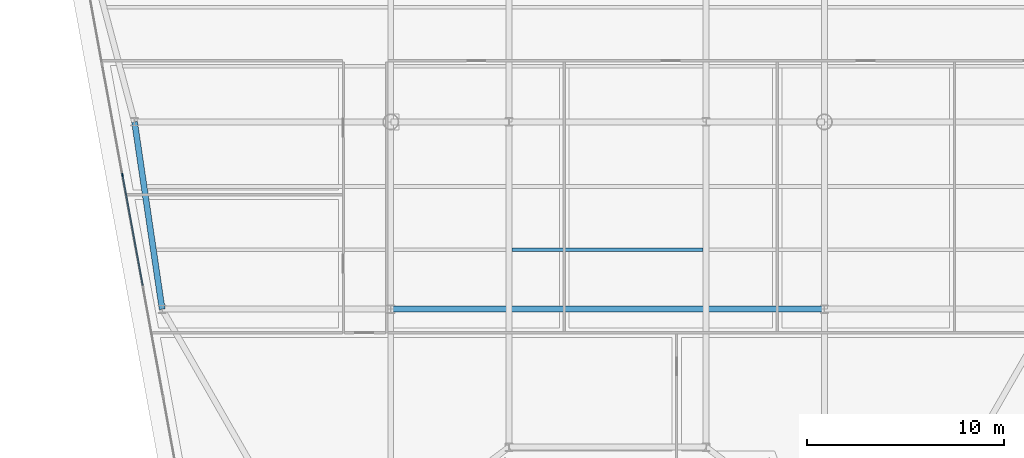
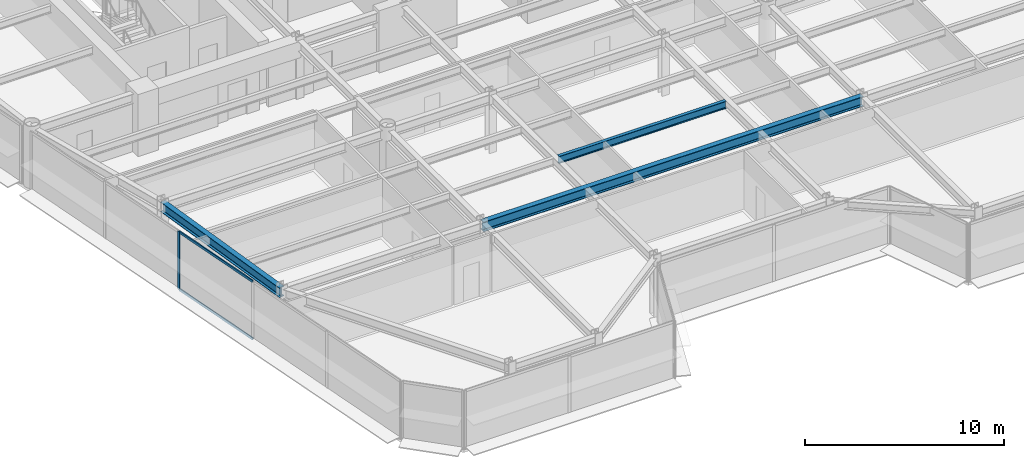
# One storey, part 3 of 16: 3 beams, 3 members, 1 element without a shape of its own.
"""IFC4 building model written with IfcOpenShell, lengths in metres."""

from ifc_helpers import new_model, si_unit, direction, frame, origin, origin_2d, place, context, subcontext, project, spatial, rectangle, i_section, extrude, source, transform, mapped, material, layer, layer_set, material_profile, profile_set, type_object, element, aggregate, save


model = new_model("IFC4")

# Units and contexts
model_context = context("Model", 3, precision=1e-05, world=origin(), true_north=direction((0.0, 1.0)))
body_context = subcontext(model_context, "Body", "Model", "MODEL_VIEW")
ifc_project = project(units=[si_unit("LENGTHUNIT", "METRE"), si_unit("AREAUNIT", "SQUARE_METRE"), si_unit("VOLUMEUNIT", "CUBIC_METRE"), si_unit("PLANEANGLEUNIT", "RADIAN"), si_unit("MASSUNIT", "GRAM", prefix="KILO")], contexts=[model_context])

# Site, building, storey
site_placement = place(None, origin())
site = spatial("IfcSite", under=ifc_project, at=site_placement, CompositionType="ELEMENT")
building_placement = place(site_placement, origin())
building = spatial("IfcBuilding", under=site, at=building_placement, Name="Vaeldorn Concourse Tower", CompositionType="ELEMENT")
storey_placement = place(building_placement, frame((0.0, 0.0, 188.0)))
storey = spatial("IfcBuildingStorey", under=building, at=storey_placement, Name="L48", CompositionType="ELEMENT", Elevation=188.0)

# Beams
ifc_material_1 = material(Name="Steel S355", Category="steel")
ifc_material_profile_1 = material_profile(ifc_material_1, i_section(OverallWidth=0.18994140625, OverallDepth=0.449951171875, WebThickness=0.009521484375, FlangeThickness=0.0146484375, FilletRadius=0.02099609375, at=origin_2d()), Name="IPE 450")
ifc_profile_set_1 = profile_set([ifc_material_profile_1], Name="Steel S355")
beam_type_1 = type_object("IfcBeamType", Name="BM-JS-IPE450", PredefinedType="JOIST", material=ifc_profile_set_1)
shared_shape_1 = source(origin(), body_context, "Body", "SweptSolid", [
    extrude(i_section(OverallWidth=0.18994140625, OverallDepth=0.449951171875, WebThickness=0.009521484375, FlangeThickness=0.0146484375, FilletRadius=0.02099609375, at=origin_2d()), origin(), (0.0, 0.0, 1.0), 9.7001953125),
])
beam_1_placement = place(storey_placement, frame((29.14990234375, 21.02001953125, 3.35498046875), z_axis=(1.0, 0.0, 0.0), x_axis=(0.0, 1.0, 0.0)))
element("IfcBeam", 1, at=beam_1_placement, inside=storey, type_object=beam_type_1, Name="Beam JS-L48-C-210", PredefinedType="JOIST", context=body_context, shape_type="MappedRepresentation", body=[
    mapped(shared_shape_1, transform((0.0, 0.0, 0.0), scale=1.0)),
])
ifc_material_profile_2 = material_profile(ifc_material_1, i_section(OverallWidth=0.300048828125, OverallDepth=0.60009765625, WebThickness=0.015380859375, FlangeThickness=0.030029296875, FilletRadius=0.027099609375, at=origin_2d()), Name="HEB 600")
ifc_profile_set_2 = profile_set([ifc_material_profile_2], Name="Steel S355")
beam_type_2 = type_object("IfcBeamType", Name="BM-PG-HEB600", PredefinedType="BEAM", material=ifc_profile_set_2)
shared_shape_2 = source(origin(), body_context, "Body", "SweptSolid", [
    extrude(i_section(OverallWidth=0.300048828125, OverallDepth=0.60009765625, WebThickness=0.015380859375, FlangeThickness=0.030029296875, FilletRadius=0.027099609375, at=origin_2d()), origin(), (0.0, 0.0, 1.0), 9.6025390625),
])
beam_2_placement = place(storey_placement, frame((10.0, 27.5, 3.280029296875), z_axis=(0.145783835977, -0.989316467652, 0.0), x_axis=(0.989316467652, 0.145783835977, 0.0)))
element("IfcBeam", 2, at=beam_2_placement, inside=storey, type_object=beam_type_2, Name="Beam BM-L48-C-FLW1-C-FLW2", PredefinedType="BEAM", context=body_context, shape_type="MappedRepresentation", body=[
    mapped(shared_shape_2, transform((0.0, 0.0, 0.0), scale=1.0)),
])
shared_shape_3 = source(origin(), body_context, "Body", "SweptSolid", [
    extrude(i_section(OverallWidth=0.300048828125, OverallDepth=0.60009765625, WebThickness=0.015380859375, FlangeThickness=0.030029296875, FilletRadius=0.027099609375, at=origin_2d()), origin(), (0.0, 0.0, 1.0), 22.0),
])
beam_3_placement = place(storey_placement, frame((23.0, 18.0, 3.280029296875), z_axis=(1.0, 0.0, 0.0), x_axis=(0.0, 1.0, 0.0)))
element("IfcBeam", 3, at=beam_3_placement, inside=storey, type_object=beam_type_2, Name="Beam BM-L48-C-TW5-C-TW6", PredefinedType="BEAM", context=body_context, shape_type="MappedRepresentation", body=[
    mapped(shared_shape_3, transform((0.0, 0.0, 0.0), scale=1.0)),
])

# Curtain wall, members
ifc_material_2 = material(Name="Anodised Bronze Aluminium", Category="aluminium")
ifc_layer = layer(ifc_material_2, 0.18994140625)
ifc_layer_set = layer_set([ifc_layer], Name="Anodised Bronze Aluminium")
curtain_wall_type = type_object("IfcCurtainWallType", Name="CW-SYS-03", PredefinedType="NOTDEFINED", material=ifc_layer_set)
curtain_wall_placement = place(storey_placement, origin())
curtain_wall = element("IfcCurtainWall", 4, at=curtain_wall_placement, inside=storey, type_object=curtain_wall_type, Name="Unitised Curtain Wall CW-L48-E11-2", PredefinedType="NOTDEFINED")
ifc_material_profile_3 = material_profile(ifc_material_2, rectangle(XDim=0.06494140625, YDim=0.169921875, at=origin_2d()), Name="CWM 65x170")
ifc_profile_set_3 = profile_set([ifc_material_profile_3], Name="Anodised Bronze Aluminium")
member_type_1 = type_object("IfcMemberType", Name="CWM-BRONZE-170", PredefinedType="MULLION", material=ifc_profile_set_3)
shared_shape_4 = source(origin(), body_context, "Body", "SweptSolid", [
    extrude(rectangle(XDim=0.06494140625, YDim=0.169921875, at=origin_2d()), origin(), (0.0, 0.0, 1.0), 3.580078125),
])
member_1_placement = place(storey_placement, frame((9.38623046875, 24.81005859375, 0.0), z_axis=(0.0, 0.0, 1.0), x_axis=(0.983559325018, 0.180585309951, 0.0)))
member_1 = element("IfcMember", 5, at=member_1_placement, type_object=member_type_1, Name="CW-03 mullion 3", PredefinedType="MULLION", context=body_context, shape_type="MappedRepresentation", body=[
    mapped(shared_shape_4, transform((0.0, 0.0, 0.0), scale=1.0)),
])
ifc_material_profile_4 = material_profile(ifc_material_2, rectangle(XDim=0.06494140625, YDim=0.14990234375, at=origin_2d()), Name="CWT 65x150")
ifc_profile_set_4 = profile_set([ifc_material_profile_4], Name="Anodised Bronze Aluminium")
member_type_2 = type_object("IfcMemberType", Name="CWT-BRONZE-150", PredefinedType="USERDEFINED", material=ifc_profile_set_4)
shared_shape_5 = source(origin(), body_context, "Body", "SweptSolid", [
    extrude(rectangle(XDim=0.06494140625, YDim=0.14990234375, at=origin_2d()), origin(), (0.0, 0.0, 1.0), 5.666015625),
])
member_2_placement = place(storey_placement, frame((9.39208984375, 24.778076171875, 0.032470703125), z_axis=(0.180587719149, -0.983558882677, 0.0), x_axis=(0.983558882677, 0.180587719149, 0.0)))
member_2 = element("IfcMember", 6, at=member_2_placement, type_object=member_type_2, Name="CW-03 transom 3.1", ObjectType="TRANSOM", PredefinedType="USERDEFINED", context=body_context, shape_type="MappedRepresentation", body=[
    mapped(shared_shape_5, transform((0.0, 0.0, 0.0), scale=1.0)),
])
member_3_placement = place(storey_placement, frame((9.39208984375, 24.778076171875, 3.547607421875), z_axis=(0.180587719149, -0.983558882677, 0.0), x_axis=(0.983558882677, 0.180587719149, 0.0)))
member_3 = element("IfcMember", 7, at=member_3_placement, type_object=member_type_2, Name="CW-03 transom 3.2", ObjectType="TRANSOM", PredefinedType="USERDEFINED", context=body_context, shape_type="MappedRepresentation", body=[
    mapped(shared_shape_5, transform((0.0, 0.0, 0.0), scale=1.0)),
])
aggregate(curtain_wall, [member_1, member_2, member_3])

save(model, "model.ifc")
